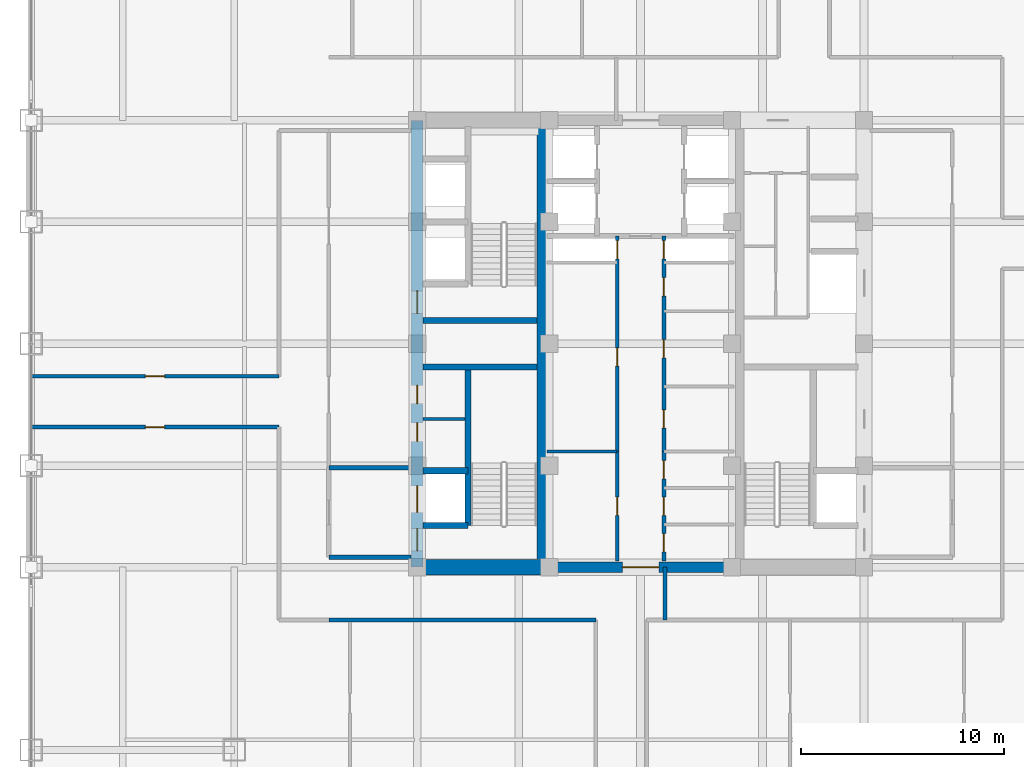
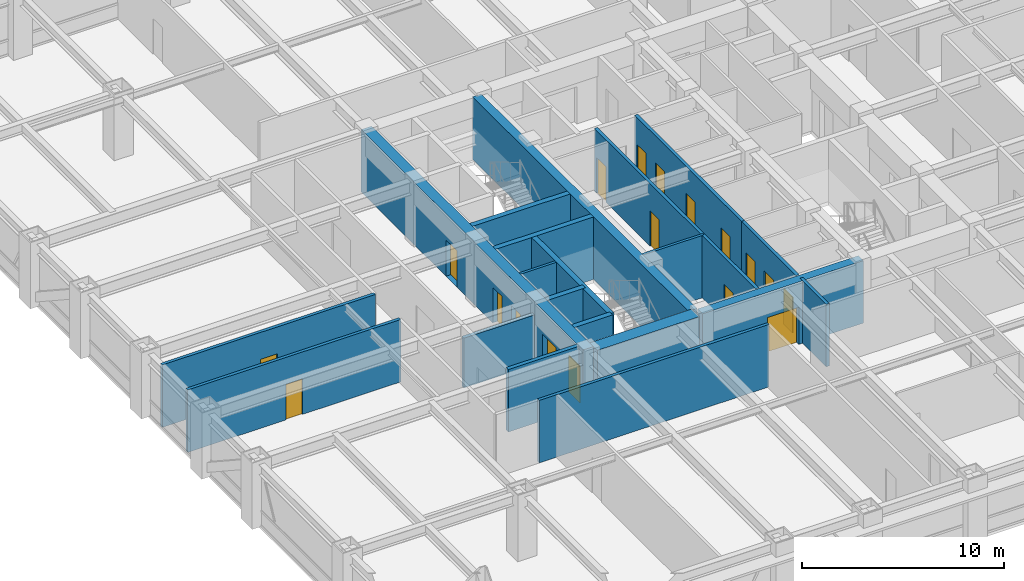
# One storey, part 20 of 28: 21 walls, 18 doors, 18 openings.
"""IFC4 building model written with IfcOpenShell, lengths in metres."""

from ifc_helpers import new_model, si_unit, direction, frame, frame_2d, origin, place, context, subcontext, project, spatial, rectangle, extrude, source, transform, mapped, material, layer, layer_set, type_object, element, fill, save


model = new_model("IFC4")

# Units and contexts
model_context = context("Model", 3, precision=1e-05, world=origin(), true_north=direction((0.0, 1.0)))
body_context = subcontext(model_context, "Body", "Model", "MODEL_VIEW")
ifc_project = project(units=[si_unit("LENGTHUNIT", "METRE"), si_unit("AREAUNIT", "SQUARE_METRE"), si_unit("VOLUMEUNIT", "CUBIC_METRE"), si_unit("PLANEANGLEUNIT", "RADIAN"), si_unit("MASSUNIT", "GRAM", prefix="KILO")], contexts=[model_context])

# Site, building, storey
site_placement = place(None, origin())
site = spatial("IfcSite", under=ifc_project, at=site_placement, CompositionType="ELEMENT")
building_placement = place(site_placement, origin())
building = spatial("IfcBuilding", under=site, at=building_placement, Name="Khorayat Bourse Tower", CompositionType="ELEMENT")
storey_placement = place(building_placement, frame((0.0, 0.0, 191.10009765625)))
storey = spatial("IfcBuildingStorey", under=building, at=storey_placement, Name="L44", CompositionType="ELEMENT", Elevation=191.10009765625)

# Wall, openings, doors
ifc_material_1 = material(Name="Concrete C60/75", Category="concrete")
ifc_layer_1 = layer(ifc_material_1, 0.60009765625)
ifc_layer_set_1 = layer_set([ifc_layer_1], Name="Concrete C60/75")
wall_type_1 = type_object("IfcWallType", Name="WAL-CORE-600", PredefinedType="SHEAR", material=ifc_layer_set_1)
shared_shape_1 = source(origin(), body_context, "Body", "SweptSolid", [
    extrude(rectangle(XDim=22.0, YDim=0.60009765625, at=frame_2d((11.0, 0.0))), origin(), (0.0, 0.0, 1.0), 3.77978515625),
])
wall_1_placement = place(storey_placement, frame((-11.0, -11.0, 0.0), z_axis=(0.0, 0.0, 1.0), x_axis=(0.0, 1.0, 0.0)))
wall_1 = element("IfcWall", 1, at=wall_1_placement, inside=storey, type_object=wall_type_1, Name="L44 Core Shear Wall CORE-W", PredefinedType="SHEAR", context=body_context, shape_type="MappedRepresentation", body=[
    mapped(shared_shape_1, transform((0.0, 0.0, 0.0), scale=1.0)),
])
shared_shape_2 = source(origin(), body_context, "Body", "SweptSolid", [
    extrude(rectangle(XDim=1.10009765625, YDim=2.199951171875, at=frame_2d((0.550048828125, 1.10009765625))), frame((0.0, 0.31005859375, 0.0), z_axis=(0.0, -1.0, 0.0), x_axis=(1.0, 0.0, 0.0)), (0.0, 0.0, 1.0), 0.6201171875),
])
opening_1_placement = place(wall_1_placement, frame((0.800048828125, 0.0, 0.0)))
opening_1 = element("IfcOpeningElement", 2, at=opening_1_placement, cuts=wall_1, Name="Opening DI-01", PredefinedType="OPENING", context=body_context, shape_type="MappedRepresentation", body=[
    mapped(shared_shape_2, transform((0.0, 0.0, 0.0), scale=1.0)),
])
opening_2_placement = place(wall_1_placement, frame((12.5, 0.0, 0.0)))
opening_2 = element("IfcOpeningElement", 3, at=opening_2_placement, cuts=wall_1, Name="Opening DI-01", PredefinedType="OPENING", context=body_context, shape_type="MappedRepresentation", body=[
    mapped(shared_shape_2, transform((0.0, 0.0, 0.0), scale=1.0)),
])
shared_shape_3 = source(origin(), body_context, "Body", "SweptSolid", [
    extrude(rectangle(XDim=0.89990234375, YDim=2.14990234375, at=frame_2d((0.449951171875, 1.074951171875))), frame((0.0, 0.31005859375, 0.0), z_axis=(0.0, -1.0, 0.0), x_axis=(1.0, 0.0, 0.0)), (0.0, 0.0, 1.0), 0.6201171875),
])
opening_3_placement = place(wall_1_placement, frame((6.199951171875, 0.0, 0.0)))
opening_3 = element("IfcOpeningElement", 4, at=opening_3_placement, cuts=wall_1, Name="Opening DI-06", PredefinedType="OPENING", context=body_context, shape_type="MappedRepresentation", body=[
    mapped(shared_shape_3, transform((0.0, 0.0, 0.0), scale=1.0)),
])
opening_4_placement = place(wall_1_placement, frame((8.050048828125, 0.0, 0.0)))
opening_4 = element("IfcOpeningElement", 5, at=opening_4_placement, cuts=wall_1, Name="Opening DI-06", PredefinedType="OPENING", context=body_context, shape_type="MappedRepresentation", body=[
    mapped(shared_shape_3, transform((0.0, 0.0, 0.0), scale=1.0)),
])
shared_shape_4 = source(origin(), body_context, "Body", "SweptSolid", [
    extrude(rectangle(XDim=1.300048828125, YDim=2.300048828125, at=frame_2d((0.64990234375, 1.14990234375))), frame((0.0, 0.31005859375, 0.0), z_axis=(0.0, -1.0, 0.0), x_axis=(1.0, 0.0, 0.0)), (0.0, 0.0, 1.0), 0.6201171875),
])
opening_5_placement = place(wall_1_placement, frame((2.699951171875, 0.0, 0.0)))
opening_5 = element("IfcOpeningElement", 6, at=opening_5_placement, cuts=wall_1, Name="Opening LD-02", PredefinedType="OPENING", context=body_context, shape_type="MappedRepresentation", body=[
    mapped(shared_shape_4, transform((0.0, 0.0, 0.0), scale=1.0)),
])
ifc_material_2 = material(Name="Fire-rated steel acoustic leaf", Category="steel")
door_type_1 = type_object("IfcDoorType", Name="DR-INT-STAIR-1100", OperationType="NOTDEFINED", PredefinedType="DOOR", material=ifc_material_2)
shared_shape_5 = source(origin(), body_context, "Body", "SweptSolid", [
    extrude(rectangle(XDim=1.10009765625, YDim=2.199951171875, at=frame_2d((0.550048828125, 1.10009765625))), frame((0.0, 0.02490234375, 0.0), z_axis=(0.0, -1.0, 0.0), x_axis=(1.0, 0.0, 0.0)), (0.0, 0.0, 1.0), 0.050048828125),
])
door_1_placement = place(opening_1_placement, origin())
door_1 = element("IfcDoor", 7, at=door_1_placement, inside=storey, type_object=door_type_1, Name="L44 Exit Stair 1 Door", OperationType="SINGLE_SWING_RIGHT", OverallHeight=2.199951171875, OverallWidth=1.10009765625, PredefinedType="DOOR", context=body_context, shape_type="MappedRepresentation", body=[
    mapped(shared_shape_5, transform((0.0, 0.0, 0.0), scale=1.0)),
])
fill(opening_1, door_1)
door_2_placement = place(opening_2_placement, origin())
door_2 = element("IfcDoor", 8, at=door_2_placement, inside=storey, type_object=door_type_1, Name="L44 Exit Stair 2 Door", OperationType="SINGLE_SWING_RIGHT", OverallHeight=2.199951171875, OverallWidth=1.10009765625, PredefinedType="DOOR", context=body_context, shape_type="MappedRepresentation", body=[
    mapped(shared_shape_5, transform((0.0, 0.0, 0.0), scale=1.0)),
])
fill(opening_2, door_2)
ifc_material_3 = material(Name="Moisture-resistant laminate washroom door")
door_type_2 = type_object("IfcDoorType", Name="DR-INT-WC-900", OperationType="NOTDEFINED", PredefinedType="DOOR", material=ifc_material_3)
shared_shape_6 = source(origin(), body_context, "Body", "SweptSolid", [
    extrude(rectangle(XDim=0.89990234375, YDim=2.14990234375, at=frame_2d((0.449951171875, 1.074951171875))), frame((0.0, 0.02490234375, 0.0), z_axis=(0.0, -1.0, 0.0), x_axis=(1.0, 0.0, 0.0)), (0.0, 0.0, 1.0), 0.050048828125),
])
door_3_placement = place(opening_3_placement, origin())
door_3 = element("IfcDoor", 9, at=door_3_placement, inside=storey, type_object=door_type_2, Name="L44 Electrical Plant Room Door", OperationType="SINGLE_SWING_RIGHT", OverallHeight=2.14990234375, OverallWidth=0.89990234375, PredefinedType="DOOR", context=body_context, shape_type="MappedRepresentation", body=[
    mapped(shared_shape_6, transform((0.0, 0.0, 0.0), scale=1.0)),
])
fill(opening_3, door_3)
door_4_placement = place(opening_4_placement, origin())
door_4 = element("IfcDoor", 10, at=door_4_placement, inside=storey, type_object=door_type_2, Name="L44 Cleaner Storage Room Door", OperationType="SINGLE_SWING_LEFT", OverallHeight=2.14990234375, OverallWidth=0.89990234375, PredefinedType="DOOR", context=body_context, shape_type="MappedRepresentation", body=[
    mapped(shared_shape_6, transform((0.0, 0.0, 0.0), scale=1.0)),
])
fill(opening_4, door_4)
ifc_material_4 = material(Name="Fire-rated stainless-steel sliding landing door", Category="steel")
door_type_3 = type_object("IfcDoorType", Name="DR-LIFT-FF-1300", OperationType="NOTDEFINED", PredefinedType="DOOR", material=ifc_material_4)
shared_shape_7 = source(origin(), body_context, "Body", "SweptSolid", [
    extrude(rectangle(XDim=1.300048828125, YDim=2.300048828125, at=frame_2d((0.64990234375, 1.14990234375))), frame((0.0, 0.02490234375, 0.0), z_axis=(0.0, -1.0, 0.0), x_axis=(1.0, 0.0, 0.0)), (0.0, 0.0, 1.0), 0.050048828125),
])
door_5_placement = place(opening_5_placement, origin())
door_5 = element("IfcDoor", 11, at=door_5_placement, inside=storey, type_object=door_type_3, Name="L44 Lift FFL-01 Sliding Landing Door", OperationType="SLIDING_TO_LEFT", OverallHeight=2.300048828125, OverallWidth=1.300048828125, PredefinedType="DOOR", context=body_context, shape_type="MappedRepresentation", body=[
    mapped(shared_shape_7, transform((0.0, 0.0, 0.0), scale=1.0)),
])
fill(opening_5, door_5)

# Walls
ifc_material_5 = material(Name="Concrete C52/65", Category="concrete")
ifc_layer_2 = layer(ifc_material_5, 0.5)
ifc_layer_set_2 = layer_set([ifc_layer_2], Name="Concrete C52/65")
wall_type_2 = type_object("IfcWallType", Name="WAL-CORE-500", PredefinedType="SHEAR", material=ifc_layer_set_2)
shared_shape_8 = source(origin(), body_context, "Body", "SweptSolid", [
    extrude(rectangle(XDim=21.39990234375, YDim=0.5, at=frame_2d((10.699951171875, 0.0))), origin(), (0.0, 0.0, 1.0), 3.77978515625),
])
wall_2_placement = place(storey_placement, frame((-4.85009765625, -10.699951171875, 0.0), z_axis=(0.0, 0.0, 1.0), x_axis=(0.0, 1.0, 0.0)))
element("IfcWall", 12, at=wall_2_placement, inside=storey, type_object=wall_type_2, Name="L44 Core Shear Wall PIER-W", PredefinedType="SHEAR", context=body_context, shape_type="MappedRepresentation", body=[
    mapped(shared_shape_8, transform((0.0, 0.0, 0.0), scale=1.0)),
])
ifc_material_6 = material(Name="Concrete C72/90", Category="concrete")
ifc_layer_3 = layer(ifc_material_6, 0.75)
ifc_layer_set_3 = layer_set([ifc_layer_3], Name="Concrete C72/90")
wall_type_3 = type_object("IfcWallType", Name="WAL-CORE-750", PredefinedType="SHEAR", material=ifc_layer_set_3)
shared_shape_9 = source(origin(), body_context, "Body", "SweptSolid", [
    extrude(rectangle(XDim=5.849853515625, YDim=0.75, at=frame_2d((2.9248046875, 0.0))), origin(), (0.0, 0.0, 1.0), 3.77978515625),
])
wall_3_placement = place(storey_placement, frame((-10.699951171875, -11.0, 0.0), z_axis=(0.0, 0.0, 1.0), x_axis=(1.0, 0.0, 0.0)))
element("IfcWall", 13, at=wall_3_placement, inside=storey, type_object=wall_type_3, Name="L44 Core Shear Wall PIER-WS", PredefinedType="SHEAR", context=body_context, shape_type="MappedRepresentation", body=[
    mapped(shared_shape_9, transform((0.0, 0.0, 0.0), scale=1.0)),
])
ifc_material_7 = material(Name="Concrete C50/60", Category="concrete")
ifc_layer_4 = layer(ifc_material_7, 0.300048828125)
ifc_layer_set_4 = layer_set([ifc_layer_4], Name="Concrete C50/60")
wall_type_4 = type_object("IfcWallType", Name="WAL-SHAFT-300", PredefinedType="SHEAR", material=ifc_layer_set_4)
shared_shape_10 = source(origin(), body_context, "Body", "SweptSolid", [
    extrude(rectangle(XDim=5.599853515625, YDim=0.300048828125, at=frame_2d((2.7998046875, 0.0))), origin(), (0.0, 0.0, 1.0), 3.77978515625),
])
for number, where, z_axis, x_axis, name in (
    (14, (-10.699951171875, -1.14990234375, 0.0), (0.0, 0.0, 1.0), (1.0, 0.0, 0.0), "L44 Core Shear Wall ST1-DIV"),
    (15, (-10.699951171875, 1.14990234375, 0.0), (0.0, 0.0, 1.0), (1.0, 0.0, 0.0), "L44 Core Shear Wall ST2-DIV"),
):
    element("IfcWall", number, at=place(storey_placement, frame(where, z_axis=z_axis, x_axis=x_axis)), inside=storey, type_object=wall_type_4, Name=name, PredefinedType="SHEAR", context=body_context, shape_type="MappedRepresentation", body=[
        mapped(shared_shape_10, transform((0.0, 0.0, 0.0), scale=1.0)),
    ])

# Wall, opening, door
shared_shape_11 = source(origin(), body_context, "Body", "SweptSolid", [
    extrude(rectangle(XDim=9.2001953125, YDim=0.5, at=frame_2d((4.60009765625, 0.0))), origin(), (0.0, 0.0, 1.0), 3.77978515625),
])
wall_4_placement = place(storey_placement, frame((-4.60009765625, -11.0, 0.0), z_axis=(0.0, 0.0, 1.0), x_axis=(1.0, 0.0, 0.0)))
wall_4 = element("IfcWall", 16, at=wall_4_placement, inside=storey, type_object=wall_type_2, Name="L44 Core Shear Wall CORE-S", PredefinedType="SHEAR", context=body_context, shape_type="MappedRepresentation", body=[
    mapped(shared_shape_11, transform((0.0, 0.0, 0.0), scale=1.0)),
])
shared_shape_12 = source(origin(), body_context, "Body", "SweptSolid", [
    extrude(rectangle(XDim=1.800048828125, YDim=2.25, at=frame_2d((0.89990234375, 1.125))), frame((0.0, 0.260009765625, 0.0), z_axis=(0.0, -1.0, 0.0), x_axis=(1.0, 0.0, 0.0)), (0.0, 0.0, 1.0), 0.52001953125),
])
opening_6_placement = place(wall_4_placement, frame((3.699951171875, 0.0, 0.0)))
opening_6 = element("IfcOpeningElement", 17, at=opening_6_placement, cuts=wall_4, Name="Opening DI-03", PredefinedType="OPENING", context=body_context, shape_type="MappedRepresentation", body=[
    mapped(shared_shape_12, transform((0.0, 0.0, 0.0), scale=1.0)),
])
ifc_material_8 = material(Name="Fire-rated hardwood vision-panel double leaf", Category="wood")
door_type_4 = type_object("IfcDoorType", Name="DR-INT-CORR-1800", OperationType="NOTDEFINED", PredefinedType="DOOR", material=ifc_material_8)
shared_shape_13 = source(origin(), body_context, "Body", "SweptSolid", [
    extrude(rectangle(XDim=1.800048828125, YDim=2.25, at=frame_2d((0.89990234375, 1.125))), frame((0.0, 0.02490234375, 0.0), z_axis=(0.0, -1.0, 0.0), x_axis=(1.0, 0.0, 0.0)), (0.0, 0.0, 1.0), 0.050048828125),
])
door_6_placement = place(opening_6_placement, origin())
door_6 = element("IfcDoor", 18, at=door_6_placement, inside=storey, type_object=door_type_4, Name="L44 Central Core South Passage Door", OperationType="SINGLE_SWING_LEFT", OverallHeight=2.25, OverallWidth=1.800048828125, PredefinedType="DOOR", context=body_context, shape_type="MappedRepresentation", body=[
    mapped(shared_shape_13, transform((0.0, 0.0, 0.0), scale=1.0)),
])
fill(opening_6, door_6)

# Walls
shared_shape_14 = source(origin(), body_context, "Body", "SweptSolid", [
    extrude(rectangle(XDim=7.800048828125, YDim=0.300048828125, at=frame_2d((3.89990234375, 0.0))), origin(), (0.0, 0.0, 1.0), 3.77978515625),
])
wall_5_placement = place(storey_placement, frame((-8.5, -8.949951171875, 0.0), z_axis=(0.0, 0.0, 1.0), x_axis=(0.0, 1.0, 0.0)))
element("IfcWall", 19, at=wall_5_placement, inside=storey, type_object=wall_type_4, Name="L44 Partition WAL-L44-WPIER-SP", PredefinedType="SHEAR", context=body_context, shape_type="MappedRepresentation", body=[
    mapped(shared_shape_14, transform((0.0, 0.0, 0.0), scale=1.0)),
])
shared_shape_15 = source(origin(), body_context, "Body", "SweptSolid", [
    extrude(rectangle(XDim=2.199951171875, YDim=0.300048828125, at=frame_2d((1.10009765625, 0.0))), origin(), (0.0, 0.0, 1.0), 3.77978515625),
])
for number, where, z_axis, x_axis, name in (
    (20, (-10.699951171875, -8.949951171875, 0.0), (0.0, 0.0, 1.0), (1.0, 0.0, 0.0), "L44 Partition WAL-L44-WPIER-FF1S"),
    (21, (-10.699951171875, -6.25, 0.0), (0.0, 0.0, 1.0), (1.0, 0.0, 0.0), "L44 Partition WAL-L44-WPIER-FF1N"),
):
    element("IfcWall", number, at=place(storey_placement, frame(where, z_axis=z_axis, x_axis=x_axis)), inside=storey, type_object=wall_type_4, Name=name, PredefinedType="SHEAR", context=body_context, shape_type="MappedRepresentation", body=[
        mapped(shared_shape_15, transform((0.0, 0.0, 0.0), scale=1.0)),
    ])
ifc_material_9 = material(Name="Gypsum plasterboard twin-frame partition")
ifc_layer_5 = layer(ifc_material_9, 0.14990234375)
ifc_layer_set_5 = layer_set([ifc_layer_5], Name="Gypsum plasterboard twin-frame partition")
wall_type_5 = type_object("IfcWallType", Name="WAL-PART-SUITE-150", PredefinedType="PARTITIONING", material=ifc_layer_set_5)
shared_shape_16 = source(origin(), body_context, "Body", "SweptSolid", [
    extrude(rectangle(XDim=2.050048828125, YDim=0.14990234375, at=frame_2d((1.02490234375, 0.0))), origin(), (0.0, 0.0, 1.0), 3.77978515625),
])
wall_6_placement = place(storey_placement, frame((-10.699951171875, -3.699951171875, 0.0), z_axis=(0.0, 0.0, 1.0), x_axis=(1.0, 0.0, 0.0)))
element("IfcWall", 22, at=wall_6_placement, inside=storey, type_object=wall_type_5, Name="L44 Partition WAL-L44-WSRV-D1", PredefinedType="PARTITIONING", context=body_context, shape_type="MappedRepresentation", body=[
    mapped(shared_shape_16, transform((0.0, 0.0, 0.0), scale=1.0)),
])
ifc_material_10 = material(Name="Aerated concrete blockwork", Category="masonry")
ifc_layer_6 = layer(ifc_material_10, 0.219970703125)
ifc_layer_set_6 = layer_set([ifc_layer_6], Name="Aerated concrete blockwork")
wall_type_6 = type_object("IfcWallType", Name="WAL-PART-FF-220", PredefinedType="PARTITIONING", material=ifc_layer_set_6)
shared_shape_17 = source(origin(), body_context, "Body", "SweptSolid", [
    extrude(rectangle(XDim=4.050048828125, YDim=0.219970703125, at=frame_2d((2.02490234375, 0.0))), origin(), (0.0, 0.0, 1.0), 3.77978515625),
])
wall_7_placement = place(storey_placement, frame((-15.35009765625, -10.5, 0.0), z_axis=(0.0, 0.0, 1.0), x_axis=(1.0, 0.0, 0.0)))
element("IfcWall", 23, at=wall_7_placement, inside=storey, type_object=wall_type_6, Name="L44 Partition WAL-L44-FFLW-S", PredefinedType="PARTITIONING", context=body_context, shape_type="MappedRepresentation", body=[
    mapped(shared_shape_17, transform((0.0, 0.0, 0.0), scale=1.0)),
])
shared_shape_18 = source(origin(), body_context, "Body", "SweptSolid", [
    extrude(rectangle(XDim=4.050048828125, YDim=0.219970703125, at=frame_2d((2.02490234375, 0.0))), origin(), (0.0, 0.0, 1.0), 3.0068359375),
])
wall_8_placement = place(storey_placement, frame((-15.35009765625, -6.10009765625, 0.0), z_axis=(0.0, 0.0, 1.0), x_axis=(1.0, 0.0, 0.0)))
element("IfcWall", 24, at=wall_8_placement, inside=storey, type_object=wall_type_6, Name="L44 Partition WAL-L44-FFLW-N", PredefinedType="PARTITIONING", context=body_context, shape_type="MappedRepresentation", body=[
    mapped(shared_shape_18, transform((0.0, 0.0, 0.0), scale=1.0)),
])
shared_shape_19 = source(origin(), body_context, "Body", "SweptSolid", [
    extrude(rectangle(XDim=3.4501953125, YDim=0.14990234375, at=frame_2d((1.72509765625, 0.0))), origin(), (0.0, 0.0, 1.0), 3.77978515625),
])
wall_9_placement = place(storey_placement, frame((-4.60009765625, -5.300048828125, 0.0), z_axis=(0.0, 0.0, 1.0), x_axis=(1.0, 0.0, 0.0)))
element("IfcWall", 25, at=wall_9_placement, inside=storey, type_object=wall_type_5, Name="L44 Partition WAL-L44-FB1-NW", PredefinedType="PARTITIONING", context=body_context, shape_type="MappedRepresentation", body=[
    mapped(shared_shape_19, transform((0.0, 0.0, 0.0), scale=1.0)),
])

# Wall, opening, door
ifc_material_11 = material(Name="Gypsum plasterboard acoustic stud wall")
ifc_layer_7 = layer(ifc_material_11, 0.179931640625)
ifc_layer_set_7 = layer_set([ifc_layer_7], Name="Gypsum plasterboard acoustic stud wall")
wall_type_7 = type_object("IfcWallType", Name="WAL-PART-CORR-180", PredefinedType="PARTITIONING", material=ifc_layer_set_7)
shared_shape_20 = source(origin(), body_context, "Body", "SweptSolid", [
    extrude(rectangle(XDim=5.39990234375, YDim=0.179931640625, at=frame_2d((2.699951171875, 0.0))), origin(), (0.0, 0.0, 1.0), 3.77978515625),
])
wall_10_placement = place(storey_placement, frame((-1.14990234375, -10.699951171875, 0.0), z_axis=(0.0, 0.0, 1.0), x_axis=(0.0, 1.0, 0.0)))
wall_10 = element("IfcWall", 26, at=wall_10_placement, inside=storey, type_object=wall_type_7, Name="L44 Partition WAL-L44-FB1W-L", PredefinedType="PARTITIONING", context=body_context, shape_type="MappedRepresentation", body=[
    mapped(shared_shape_20, transform((0.0, 0.0, 0.0), scale=1.0)),
])
shared_shape_21 = source(origin(), body_context, "Body", "SweptSolid", [
    extrude(rectangle(XDim=0.89990234375, YDim=2.14990234375, at=frame_2d((0.449951171875, 1.074951171875))), frame((0.0, 0.099853515625, 0.0), z_axis=(0.0, -1.0, 0.0), x_axis=(1.0, 0.0, 0.0)), (0.0, 0.0, 1.0), 0.199951171875),
])
opening_7_placement = place(wall_10_placement, frame((2.25, 0.0, 0.0)))
opening_7 = element("IfcOpeningElement", 27, at=opening_7_placement, cuts=wall_10, Name="Opening DI-06", PredefinedType="OPENING", context=body_context, shape_type="MappedRepresentation", body=[
    mapped(shared_shape_21, transform((0.0, 0.0, 0.0), scale=1.0)),
])
door_7_placement = place(opening_7_placement, origin())
door_7 = element("IfcDoor", 28, at=door_7_placement, inside=storey, type_object=door_type_2, Name="L44 IT Comms Server Plant Room Door", OperationType="SINGLE_SWING_RIGHT", OverallHeight=2.14990234375, OverallWidth=0.89990234375, PredefinedType="DOOR", context=body_context, shape_type="MappedRepresentation", body=[
    mapped(shared_shape_6, transform((0.0, 0.0, 0.0), scale=1.0)),
])
fill(opening_7, door_7)

# Wall, openings, doors
wall_11_placement = place(storey_placement, frame((1.14990234375, -10.699951171875, 0.0), z_axis=(0.0, 0.0, 1.0), x_axis=(0.0, 1.0, 0.0)))
wall_11 = element("IfcWall", 29, at=wall_11_placement, inside=storey, type_object=wall_type_7, Name="L44 Partition WAL-L44-FB1E-L", PredefinedType="PARTITIONING", context=body_context, shape_type="MappedRepresentation", body=[
    mapped(shared_shape_20, transform((0.0, 0.0, 0.0), scale=1.0)),
])
opening_8_placement = place(wall_11_placement, frame((0.449951171875, 0.0, 0.0)))
opening_8 = element("IfcOpeningElement", 30, at=opening_8_placement, cuts=wall_11, Name="Opening DI-06", PredefinedType="OPENING", context=body_context, shape_type="MappedRepresentation", body=[
    mapped(shared_shape_21, transform((0.0, 0.0, 0.0), scale=1.0)),
])
opening_9_placement = place(wall_11_placement, frame((2.25, 0.0, 0.0)))
opening_9 = element("IfcOpeningElement", 31, at=opening_9_placement, cuts=wall_11, Name="Opening DI-06", PredefinedType="OPENING", context=body_context, shape_type="MappedRepresentation", body=[
    mapped(shared_shape_21, transform((0.0, 0.0, 0.0), scale=1.0)),
])
opening_10_placement = place(wall_11_placement, frame((4.050048828125, 0.0, 0.0)))
opening_10 = element("IfcOpeningElement", 32, at=opening_10_placement, cuts=wall_11, Name="Opening DI-06", PredefinedType="OPENING", context=body_context, shape_type="MappedRepresentation", body=[
    mapped(shared_shape_21, transform((0.0, 0.0, 0.0), scale=1.0)),
])
door_8_placement = place(opening_8_placement, origin())
door_8 = element("IfcDoor", 33, at=door_8_placement, inside=storey, type_object=door_type_2, Name="L44 Stationery Store Door", OperationType="SINGLE_SWING_RIGHT", OverallHeight=2.14990234375, OverallWidth=0.89990234375, PredefinedType="DOOR", context=body_context, shape_type="MappedRepresentation", body=[
    mapped(shared_shape_6, transform((0.0, 0.0, 0.0), scale=1.0)),
])
fill(opening_8, door_8)
door_9_placement = place(opening_9_placement, origin())
door_9 = element("IfcDoor", 34, at=door_9_placement, inside=storey, type_object=door_type_2, Name="L44 Meter Closet Door", OperationType="SINGLE_SWING_LEFT", OverallHeight=2.14990234375, OverallWidth=0.89990234375, PredefinedType="DOOR", context=body_context, shape_type="MappedRepresentation", body=[
    mapped(shared_shape_6, transform((0.0, 0.0, 0.0), scale=1.0)),
])
fill(opening_9, door_9)
door_10_placement = place(opening_10_placement, origin())
door_10 = element("IfcDoor", 35, at=door_10_placement, inside=storey, type_object=door_type_2, Name="L44 Print Room Door", OperationType="SINGLE_SWING_RIGHT", OverallHeight=2.14990234375, OverallWidth=0.89990234375, PredefinedType="DOOR", context=body_context, shape_type="MappedRepresentation", body=[
    mapped(shared_shape_6, transform((0.0, 0.0, 0.0), scale=1.0)),
])
fill(opening_10, door_10)

shared_shape_22 = source(origin(), body_context, "Body", "SweptSolid", [
    extrude(rectangle(XDim=10.60009765625, YDim=0.179931640625, at=frame_2d((5.300048828125, 0.0))), origin(), (0.0, 0.0, 1.0), 3.77978515625),
])
wall_12_placement = place(storey_placement, frame((-1.14990234375, -5.300048828125, 0.0), z_axis=(0.0, 0.0, 1.0), x_axis=(0.0, 1.0, 0.0)))
wall_12 = element("IfcWall", 36, at=wall_12_placement, inside=storey, type_object=wall_type_7, Name="L44 Partition WAL-L44-CMW-L", PredefinedType="PARTITIONING", context=body_context, shape_type="MappedRepresentation", body=[
    mapped(shared_shape_22, transform((0.0, 0.0, 0.0), scale=1.0)),
])
opening_11_placement = place(wall_12_placement, frame((4.199951171875, 0.0, 0.0)))
opening_11 = element("IfcOpeningElement", 37, at=opening_11_placement, cuts=wall_12, Name="Opening DI-06", PredefinedType="OPENING", context=body_context, shape_type="MappedRepresentation", body=[
    mapped(shared_shape_21, transform((0.0, 0.0, 0.0), scale=1.0)),
])
opening_12_placement = place(wall_12_placement, frame((9.47509765625, 0.0, 0.0)))
opening_12 = element("IfcOpeningElement", 38, at=opening_12_placement, cuts=wall_12, Name="Opening DI-06", PredefinedType="OPENING", context=body_context, shape_type="MappedRepresentation", body=[
    mapped(shared_shape_21, transform((0.0, 0.0, 0.0), scale=1.0)),
])
door_11_placement = place(opening_11_placement, origin())
door_11 = element("IfcDoor", 39, at=door_11_placement, inside=storey, type_object=door_type_2, Name="L44 Male Core Washroom Door", OperationType="SINGLE_SWING_RIGHT", OverallHeight=2.14990234375, OverallWidth=0.89990234375, PredefinedType="DOOR", context=body_context, shape_type="MappedRepresentation", body=[
    mapped(shared_shape_6, transform((0.0, 0.0, 0.0), scale=1.0)),
])
fill(opening_11, door_11)
door_12_placement = place(opening_12_placement, origin())
door_12 = element("IfcDoor", 40, at=door_12_placement, inside=storey, type_object=door_type_2, Name="L44 West Core Riser Door", OperationType="SINGLE_SWING_LEFT", OverallHeight=2.14990234375, OverallWidth=0.89990234375, PredefinedType="DOOR", context=body_context, shape_type="MappedRepresentation", body=[
    mapped(shared_shape_6, transform((0.0, 0.0, 0.0), scale=1.0)),
])
fill(opening_12, door_12)

wall_13_placement = place(storey_placement, frame((1.14990234375, -5.300048828125, 0.0), z_axis=(0.0, 0.0, 1.0), x_axis=(0.0, 1.0, 0.0)))
wall_13 = element("IfcWall", 41, at=wall_13_placement, inside=storey, type_object=wall_type_7, Name="L44 Partition WAL-L44-CME-L", PredefinedType="PARTITIONING", context=body_context, shape_type="MappedRepresentation", body=[
    mapped(shared_shape_22, transform((0.0, 0.0, 0.0), scale=1.0)),
])
opening_13_placement = place(wall_13_placement, frame((1.14990234375, 0.0, 0.0)))
opening_13 = element("IfcOpeningElement", 42, at=opening_13_placement, cuts=wall_13, Name="Opening DI-06", PredefinedType="OPENING", context=body_context, shape_type="MappedRepresentation", body=[
    mapped(shared_shape_21, transform((0.0, 0.0, 0.0), scale=1.0)),
])
opening_14_placement = place(wall_13_placement, frame((4.60009765625, 0.0, 0.0)))
opening_14 = element("IfcOpeningElement", 43, at=opening_14_placement, cuts=wall_13, Name="Opening DI-06", PredefinedType="OPENING", context=body_context, shape_type="MappedRepresentation", body=[
    mapped(shared_shape_21, transform((0.0, 0.0, 0.0), scale=1.0)),
])
opening_15_placement = place(wall_13_placement, frame((7.64990234375, 0.0, 0.0)))
opening_15 = element("IfcOpeningElement", 44, at=opening_15_placement, cuts=wall_13, Name="Opening DI-06", PredefinedType="OPENING", context=body_context, shape_type="MappedRepresentation", body=[
    mapped(shared_shape_21, transform((0.0, 0.0, 0.0), scale=1.0)),
])
opening_16_placement = place(wall_13_placement, frame((9.47509765625, 0.0, 0.0)))
opening_16 = element("IfcOpeningElement", 45, at=opening_16_placement, cuts=wall_13, Name="Opening DI-06", PredefinedType="OPENING", context=body_context, shape_type="MappedRepresentation", body=[
    mapped(shared_shape_21, transform((0.0, 0.0, 0.0), scale=1.0)),
])
door_13_placement = place(opening_13_placement, origin())
door_13 = element("IfcDoor", 46, at=door_13_placement, inside=storey, type_object=door_type_2, Name="L44 Female Core Washroom Door", OperationType="SINGLE_SWING_RIGHT", OverallHeight=2.14990234375, OverallWidth=0.89990234375, PredefinedType="DOOR", context=body_context, shape_type="MappedRepresentation", body=[
    mapped(shared_shape_6, transform((0.0, 0.0, 0.0), scale=1.0)),
])
fill(opening_13, door_13)
door_14_placement = place(opening_14_placement, origin())
door_14 = element("IfcDoor", 47, at=door_14_placement, inside=storey, type_object=door_type_2, Name="L44 Cleaners Store Door", OperationType="SINGLE_SWING_LEFT", OverallHeight=2.14990234375, OverallWidth=0.89990234375, PredefinedType="DOOR", context=body_context, shape_type="MappedRepresentation", body=[
    mapped(shared_shape_6, transform((0.0, 0.0, 0.0), scale=1.0)),
])
fill(opening_14, door_14)
door_15_placement = place(opening_15_placement, origin())
door_15 = element("IfcDoor", 48, at=door_15_placement, inside=storey, type_object=door_type_2, Name="L44 Meter and BMS Plant Room Door", OperationType="SINGLE_SWING_RIGHT", OverallHeight=2.14990234375, OverallWidth=0.89990234375, PredefinedType="DOOR", context=body_context, shape_type="MappedRepresentation", body=[
    mapped(shared_shape_6, transform((0.0, 0.0, 0.0), scale=1.0)),
])
fill(opening_15, door_15)
door_16_placement = place(opening_16_placement, origin())
door_16 = element("IfcDoor", 49, at=door_16_placement, inside=storey, type_object=door_type_2, Name="L44 East Core Riser Door", OperationType="SINGLE_SWING_RIGHT", OverallHeight=2.14990234375, OverallWidth=0.89990234375, PredefinedType="DOOR", context=body_context, shape_type="MappedRepresentation", body=[
    mapped(shared_shape_6, transform((0.0, 0.0, 0.0), scale=1.0)),
])
fill(opening_16, door_16)

# Wall, opening, door
shared_shape_23 = source(origin(), body_context, "Body", "SweptSolid", [
    extrude(rectangle(XDim=12.199951171875, YDim=0.179931640625, at=frame_2d((6.10009765625, 0.0))), origin(), (0.0, 0.0, 1.0), 3.77978515625),
])
wall_14_placement = place(storey_placement, frame((-30.0, -4.10009765625, 0.0), z_axis=(0.0, 0.0, 1.0), x_axis=(1.0, 0.0, 0.0)))
wall_14 = element("IfcWall", 50, at=wall_14_placement, inside=storey, type_object=wall_type_7, Name="L44 Partition WAL-L44-WS-SPK", PredefinedType="PARTITIONING", context=body_context, shape_type="MappedRepresentation", body=[
    mapped(shared_shape_23, transform((0.0, 0.0, 0.0), scale=1.0)),
])
shared_shape_24 = source(origin(), body_context, "Body", "SweptSolid", [
    extrude(rectangle(XDim=0.949951171875, YDim=2.14990234375, at=frame_2d((0.47509765625, 1.074951171875))), frame((0.0, 0.099853515625, 0.0), z_axis=(0.0, -1.0, 0.0), x_axis=(1.0, 0.0, 0.0)), (0.0, 0.0, 1.0), 0.199951171875),
])
opening_17_placement = place(wall_14_placement, frame((5.625, 0.0, 0.0)))
opening_17 = element("IfcOpeningElement", 51, at=opening_17_placement, cuts=wall_14, Name="Opening DI-05", PredefinedType="OPENING", context=body_context, shape_type="MappedRepresentation", body=[
    mapped(shared_shape_24, transform((0.0, 0.0, 0.0), scale=1.0)),
])
ifc_material_12 = material(Name="Acoustic oak veneer office door")
door_type_5 = type_object("IfcDoorType", Name="DR-INT-OFFICE-950", OperationType="NOTDEFINED", PredefinedType="DOOR", material=ifc_material_12)
shared_shape_25 = source(origin(), body_context, "Body", "SweptSolid", [
    extrude(rectangle(XDim=0.949951171875, YDim=2.14990234375, at=frame_2d((0.47509765625, 1.074951171875))), frame((0.0, 0.02490234375, 0.0), z_axis=(0.0, -1.0, 0.0), x_axis=(1.0, 0.0, 0.0)), (0.0, 0.0, 1.0), 0.050048828125),
])
door_17_placement = place(opening_17_placement, origin())
door_17 = element("IfcDoor", 52, at=door_17_placement, inside=storey, type_object=door_type_5, Name="L44 Brokerage Member Kiosk WS Door", OperationType="SINGLE_SWING_LEFT", OverallHeight=2.14990234375, OverallWidth=0.949951171875, PredefinedType="DOOR", context=body_context, shape_type="MappedRepresentation", body=[
    mapped(shared_shape_25, transform((0.0, 0.0, 0.0), scale=1.0)),
])
fill(opening_17, door_17)

wall_15_placement = place(storey_placement, frame((-30.0, -1.60009765625, 0.0), z_axis=(0.0, 0.0, 1.0), x_axis=(1.0, 0.0, 0.0)))
wall_15 = element("IfcWall", 53, at=wall_15_placement, inside=storey, type_object=wall_type_7, Name="L44 Partition WAL-L44-WN-SPK", PredefinedType="PARTITIONING", context=body_context, shape_type="MappedRepresentation", body=[
    mapped(shared_shape_23, transform((0.0, 0.0, 0.0), scale=1.0)),
])
opening_18_placement = place(wall_15_placement, frame((5.625, 0.0, 0.0)))
opening_18 = element("IfcOpeningElement", 54, at=opening_18_placement, cuts=wall_15, Name="Opening DI-05", PredefinedType="OPENING", context=body_context, shape_type="MappedRepresentation", body=[
    mapped(shared_shape_24, transform((0.0, 0.0, 0.0), scale=1.0)),
])
door_18_placement = place(opening_18_placement, origin())
door_18 = element("IfcDoor", 55, at=door_18_placement, inside=storey, type_object=door_type_5, Name="L44 Floor Reception Concierge WN Door", OperationType="SINGLE_SWING_LEFT", OverallHeight=2.14990234375, OverallWidth=0.949951171875, PredefinedType="DOOR", context=body_context, shape_type="MappedRepresentation", body=[
    mapped(shared_shape_25, transform((0.0, 0.0, 0.0), scale=1.0)),
])
fill(opening_18, door_18)

# Walls
shared_shape_26 = source(origin(), body_context, "Body", "SweptSolid", [
    extrude(rectangle(XDim=2.60009765625, YDim=0.179931640625, at=frame_2d((1.300048828125, 0.0))), origin(), (0.0, 0.0, 1.0), 3.77978515625),
])
wall_16_placement = place(storey_placement, frame((1.199951171875, -13.60009765625, 0.0), z_axis=(0.0, 0.0, 1.0), x_axis=(0.0, 1.0, 0.0)))
element("IfcWall", 56, at=wall_16_placement, inside=storey, type_object=wall_type_7, Name="L44 Partition WAL-L44-C2-SCE", PredefinedType="PARTITIONING", context=body_context, shape_type="MappedRepresentation", body=[
    mapped(shared_shape_26, transform((0.0, 0.0, 0.0), scale=1.0)),
])
shared_shape_27 = source(origin(), body_context, "Body", "SweptSolid", [
    extrude(rectangle(XDim=13.150146484375, YDim=0.179931640625, at=frame_2d((6.5751953125, 0.0))), origin(), (0.0, 0.0, 1.0), 3.77978515625),
])
wall_17_placement = place(storey_placement, frame((-15.35009765625, -13.60009765625, 0.0), z_axis=(0.0, 0.0, 1.0), x_axis=(1.0, 0.0, 0.0)))
element("IfcWall", 57, at=wall_17_placement, inside=storey, type_object=wall_type_7, Name="L44 Partition WAL-L44-QSW-HC", PredefinedType="PARTITIONING", context=body_context, shape_type="MappedRepresentation", body=[
    mapped(shared_shape_27, transform((0.0, 0.0, 0.0), scale=1.0)),
])

save(model, "model.ifc")
